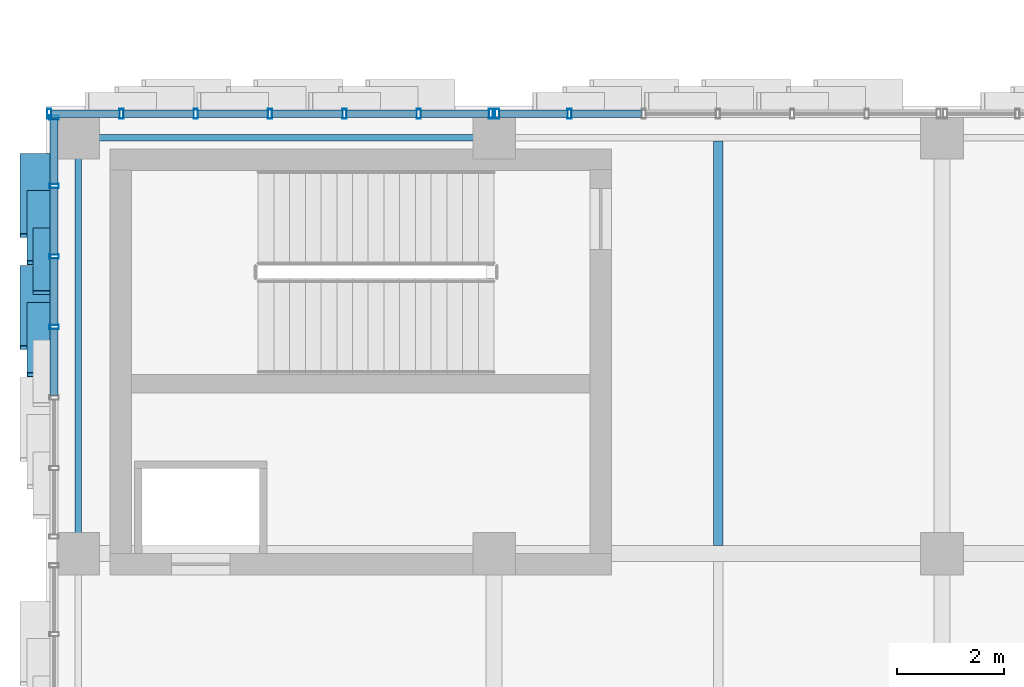
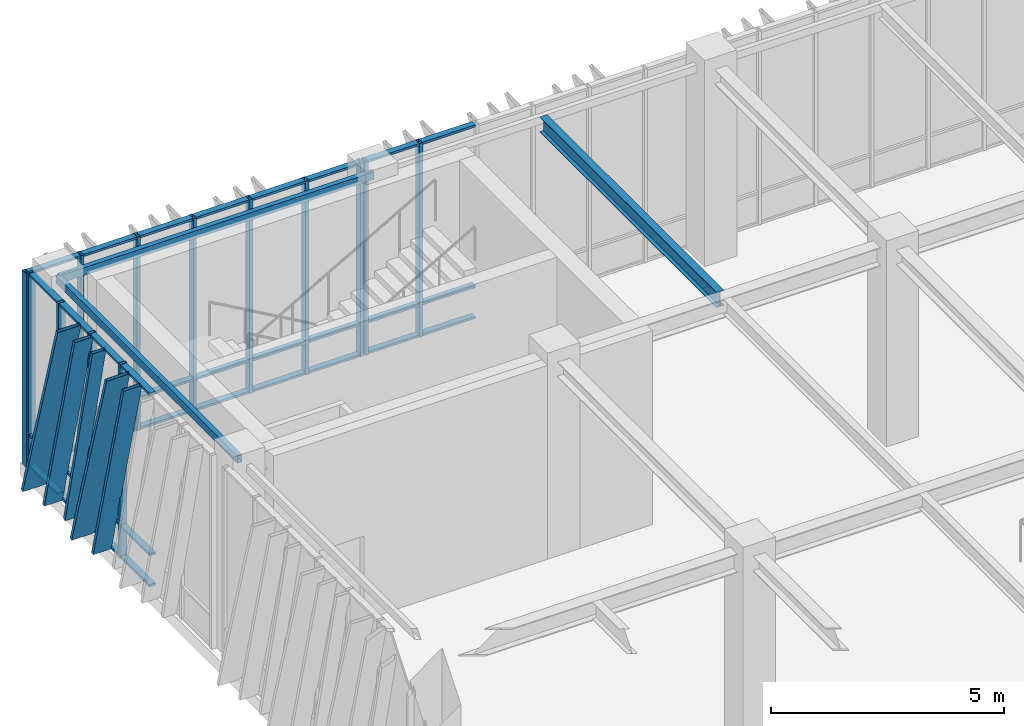
# One storey, part 46 of 139: 54 members, 3 beams, 3 elements without a shape of their own.
"""IFC4 building model written with IfcOpenShell, lengths in metres."""

from ifc_helpers import new_model, si_unit, direction, frame, origin, origin_2d, place, context, subcontext, project, spatial, hollow_rectangle, i_section, extrude, material, layer, layer_set, material_profile, profile_set, type_object, element, aggregate, save


model = new_model("IFC4")

# Units and contexts
model_context = context("Model", 3, precision=1e-05, world=origin(), true_north=direction((0.0, 1.0)))
body_context = subcontext(model_context, "Body", "Model", "MODEL_VIEW")
ifc_project = project(units=[si_unit("LENGTHUNIT", "METRE"), si_unit("AREAUNIT", "SQUARE_METRE"), si_unit("VOLUMEUNIT", "CUBIC_METRE"), si_unit("PLANEANGLEUNIT", "RADIAN"), si_unit("MASSUNIT", "GRAM", prefix="KILO")], contexts=[model_context])

# Site, building, storey
site_placement = place(None, origin())
site = spatial("IfcSite", under=ifc_project, at=site_placement, CompositionType="ELEMENT")
building_placement = place(site_placement, origin())
building = spatial("IfcBuilding", under=site, at=building_placement, Name="Zayran Congress Hotel", CompositionType="ELEMENT")
storey_placement = place(building_placement, frame((0.0, 0.0, 5.39990234375)))
storey = spatial("IfcBuildingStorey", under=building, at=storey_placement, Name="L01", CompositionType="ELEMENT", Elevation=5.39990234375)

# Beams
ifc_material_1 = material(Name="Steel S355", Category="steel")
ifc_material_profile_1 = material_profile(ifc_material_1, i_section(OverallWidth=0.179931640625, OverallDepth=0.39990234375, WebThickness=0.008544921875, FlangeThickness=0.013427734375, at=origin_2d()), Name="IPE 400")
ifc_profile_set_1 = profile_set([ifc_material_profile_1], Name="Steel S355")
beam_type_1 = type_object("IfcBeamType", Name="TP-JS-03", PredefinedType="JOIST", material=ifc_profile_set_1)
beam_1_placement = place(storey_placement, frame((21.0, 109.75, 4.880126953125), z_axis=(0.0, 1.0, 0.0), x_axis=(-1.0, 0.0, 0.0)))
element("IfcBeam", 1, at=beam_1_placement, inside=storey, type_object=beam_type_1, Name="JST-V1-L01-0625", PredefinedType="JOIST", context=body_context, shape_type="SweptSolid", body=[
    extrude(i_section(OverallWidth=0.179931640625, OverallDepth=0.39990234375, WebThickness=0.008544921875, FlangeThickness=0.013427734375, at=origin_2d()), origin(), (0.0, 0.0, 1.0), 7.590087890625),
])
ifc_material_profile_2 = material_profile(ifc_material_1, hollow_rectangle(XDim=0.1201171875, YDim=0.199951171875, WallThickness=0.008056640625, at=origin_2d()), Name="RHS 200x120x8")
ifc_profile_set_2 = profile_set([ifc_material_profile_2], Name="Steel S355")
beam_type_2 = type_object("IfcBeamType", Name="TP-SP-02", PredefinedType="SPANDREL", material=ifc_profile_set_2)
beam_2_placement = place(storey_placement, frame((9.0, 117.39990234375, 4.97998046875), z_axis=(1.0, 0.0, 0.0), x_axis=(0.0, 1.0, 0.0)))
element("IfcBeam", 2, at=beam_2_placement, inside=storey, type_object=beam_type_2, Name="BM-V1-L01-0561", PredefinedType="SPANDREL", context=body_context, shape_type="SweptSolid", body=[
    extrude(hollow_rectangle(XDim=0.1201171875, YDim=0.199951171875, WallThickness=0.008056640625, at=origin_2d()), origin(), (0.0, 0.0, 1.0), 7.800048828125),
])
beam_3_placement = place(storey_placement, frame((9.0, 109.60009765625, 4.97998046875), z_axis=(0.0, 1.0, 0.0), x_axis=(-1.0, 0.0, 0.0)))
element("IfcBeam", 3, at=beam_3_placement, inside=storey, type_object=beam_type_2, Name="BM-V1-L01-0576", PredefinedType="SPANDREL", context=body_context, shape_type="SweptSolid", body=[
    extrude(hollow_rectangle(XDim=0.1201171875, YDim=0.199951171875, WallThickness=0.008056640625, at=origin_2d()), origin(), (0.0, 0.0, 1.0), 7.7998046875),
])

# Curtain wall, members
ifc_material_2 = material(Name="Anodised aluminium and low-E insulated glass", Category="aluminium")
ifc_layer_1 = layer(ifc_material_2, 0.179931640625)
ifc_layer_set_1 = layer_set([ifc_layer_1], Name="Anodised aluminium and low-E insulated glass")
curtain_wall_type_1 = type_object("IfcCurtainWallType", Name="CW-V1N-L01-CW-21-8360-5080", PredefinedType="USERDEFINED", material=ifc_layer_set_1)
curtain_wall_1_placement = place(storey_placement, origin())
curtain_wall_1 = element("IfcCurtainWall", 4, at=curtain_wall_1_placement, inside=storey, type_object=curtain_wall_type_1, Name="CW-V1N-L01-0", ObjectType="CURTAIN WALL", PredefinedType="USERDEFINED")
ifc_material_3 = material(Name="Anodised aluminium framing", Category="aluminium")
ifc_material_profile_3 = material_profile(ifc_material_3, hollow_rectangle(XDim=0.080078125, YDim=0.179931640625, WallThickness=0.0048828125, at=origin_2d()), Name="RHS 180x80x5")
ifc_profile_set_3 = profile_set([ifc_material_profile_3], Name="Anodised aluminium framing")
member_type_1 = type_object("IfcMemberType", Name="TP-CWM-01", PredefinedType="MULLION", material=ifc_profile_set_3)
member_1_placement = place(storey_placement, frame((16.739990234375, 117.85009765625, 0.0), z_axis=(0.0, 0.0, 1.0), x_axis=(1.0, 0.0, 0.0)))
member_1 = element("IfcMember", 5, at=member_1_placement, type_object=member_type_1, Name="CW-V1N-L01-0-M00", PredefinedType="MULLION", context=body_context, shape_type="SweptSolid", body=[
    extrude(hollow_rectangle(XDim=0.080078125, YDim=0.179931640625, WallThickness=0.0048828125, at=origin_2d()), origin(), (0.0, 0.0, 1.0), 5.080078125),
])
member_2_placement = place(storey_placement, frame((15.38671875, 117.85009765625, 0.0), z_axis=(0.0, 0.0, 1.0), x_axis=(1.0, 0.0, 0.0)))
member_2 = element("IfcMember", 6, at=member_2_placement, type_object=member_type_1, Name="CW-V1N-L01-0-M01", PredefinedType="MULLION", context=body_context, shape_type="SweptSolid", body=[
    extrude(hollow_rectangle(XDim=0.080078125, YDim=0.179931640625, WallThickness=0.0048828125, at=origin_2d()), origin(), (0.0, 0.0, 1.0), 5.080078125),
])
member_3_placement = place(storey_placement, frame((13.993408203125, 117.85009765625, 0.0), z_axis=(0.0, 0.0, 1.0), x_axis=(1.0, 0.0, 0.0)))
member_3 = element("IfcMember", 7, at=member_3_placement, type_object=member_type_1, Name="CW-V1N-L01-0-M02", PredefinedType="MULLION", context=body_context, shape_type="SweptSolid", body=[
    extrude(hollow_rectangle(XDim=0.080078125, YDim=0.179931640625, WallThickness=0.0048828125, at=origin_2d()), origin(), (0.0, 0.0, 1.0), 5.080078125),
])
member_4_placement = place(storey_placement, frame((12.60009765625, 117.85009765625, 0.0), z_axis=(0.0, 0.0, 1.0), x_axis=(1.0, 0.0, 0.0)))
member_4 = element("IfcMember", 8, at=member_4_placement, type_object=member_type_1, Name="CW-V1N-L01-0-M03", PredefinedType="MULLION", context=body_context, shape_type="SweptSolid", body=[
    extrude(hollow_rectangle(XDim=0.080078125, YDim=0.179931640625, WallThickness=0.0048828125, at=origin_2d()), origin(), (0.0, 0.0, 1.0), 5.080078125),
])
member_5_placement = place(storey_placement, frame((11.206787109375, 117.85009765625, 0.0), z_axis=(0.0, 0.0, 1.0), x_axis=(1.0, 0.0, 0.0)))
member_5 = element("IfcMember", 9, at=member_5_placement, type_object=member_type_1, Name="CW-V1N-L01-0-M04", PredefinedType="MULLION", context=body_context, shape_type="SweptSolid", body=[
    extrude(hollow_rectangle(XDim=0.080078125, YDim=0.179931640625, WallThickness=0.0048828125, at=origin_2d()), origin(), (0.0, 0.0, 1.0), 5.080078125),
])
member_6_placement = place(storey_placement, frame((9.813232421875, 117.85009765625, 0.0), z_axis=(0.0, 0.0, 1.0), x_axis=(1.0, 0.0, 0.0)))
member_6 = element("IfcMember", 10, at=member_6_placement, type_object=member_type_1, Name="CW-V1N-L01-0-M05", PredefinedType="MULLION", context=body_context, shape_type="SweptSolid", body=[
    extrude(hollow_rectangle(XDim=0.080078125, YDim=0.179931640625, WallThickness=0.0048828125, at=origin_2d()), origin(), (0.0, 0.0, 1.0), 5.080078125),
])
member_7_placement = place(storey_placement, frame((8.4599609375, 117.85009765625, 0.0), z_axis=(0.0, 0.0, 1.0), x_axis=(1.0, 0.0, 0.0)))
member_7 = element("IfcMember", 11, at=member_7_placement, type_object=member_type_1, Name="CW-V1N-L01-0-M06", PredefinedType="MULLION", context=body_context, shape_type="SweptSolid", body=[
    extrude(hollow_rectangle(XDim=0.080078125, YDim=0.179931640625, WallThickness=0.0048828125, at=origin_2d()), origin(), (0.0, 0.0, 1.0), 5.080078125),
])

ifc_layer_2 = layer(ifc_material_2, 0.179931640625)
ifc_layer_set_2 = layer_set([ifc_layer_2], Name="Anodised aluminium and low-E insulated glass")
curtain_wall_type_2 = type_object("IfcCurtainWallType", Name="CW-V1N-L01-CW-22-8360-5080", PredefinedType="USERDEFINED", material=ifc_layer_set_2)
curtain_wall_2_placement = place(storey_placement, origin())
curtain_wall_2 = element("IfcCurtainWall", 12, at=curtain_wall_2_placement, inside=storey, type_object=curtain_wall_type_2, Name="CW-V1N-L01-1", ObjectType="CURTAIN WALL", PredefinedType="USERDEFINED")
member_8_placement = place(storey_placement, frame((18.21337890625, 117.85009765625, 0.0), z_axis=(0.0, 0.0, 1.0), x_axis=(1.0, 0.0, 0.0)))
member_8 = element("IfcMember", 13, at=member_8_placement, type_object=member_type_1, Name="CW-V1N-L01-1-M05", PredefinedType="MULLION", context=body_context, shape_type="SweptSolid", body=[
    extrude(hollow_rectangle(XDim=0.080078125, YDim=0.179931640625, WallThickness=0.0048828125, at=origin_2d()), origin(), (0.0, 0.0, 1.0), 5.080078125),
])
member_9_placement = place(storey_placement, frame((16.860107421875, 117.85009765625, 0.0), z_axis=(0.0, 0.0, 1.0), x_axis=(1.0, 0.0, 0.0)))
member_9 = element("IfcMember", 14, at=member_9_placement, type_object=member_type_1, Name="CW-V1N-L01-1-M06", PredefinedType="MULLION", context=body_context, shape_type="SweptSolid", body=[
    extrude(hollow_rectangle(XDim=0.080078125, YDim=0.179931640625, WallThickness=0.0048828125, at=origin_2d()), origin(), (0.0, 0.0, 1.0), 5.080078125),
])

ifc_layer_3 = layer(ifc_material_2, 0.179931640625)
ifc_layer_set_3 = layer_set([ifc_layer_3], Name="Anodised aluminium and low-E insulated glass")
curtain_wall_type_3 = type_object("IfcCurtainWallType", Name="CW-V1W-L01-CW-32-7940-5080", PredefinedType="USERDEFINED", material=ifc_layer_set_3)
curtain_wall_3_placement = place(storey_placement, origin())
curtain_wall_3 = element("IfcCurtainWall", 15, at=curtain_wall_3_placement, inside=storey, type_object=curtain_wall_type_3, Name="CW-V1W-L01-5", ObjectType="CURTAIN WALL", PredefinedType="USERDEFINED")
member_10_placement = place(storey_placement, frame((8.550048828125, 117.780029296875, 0.0), z_axis=(0.0, 0.0, 1.0), x_axis=(0.0, 1.0, 0.0)))
member_10 = element("IfcMember", 16, at=member_10_placement, type_object=member_type_1, Name="CW-V1W-L01-5-M00", PredefinedType="MULLION", context=body_context, shape_type="SweptSolid", body=[
    extrude(hollow_rectangle(XDim=0.080078125, YDim=0.179931640625, WallThickness=0.0048828125, at=origin_2d()), origin(), (0.0, 0.0, 1.0), 5.080078125),
])
member_11_placement = place(storey_placement, frame((8.550048828125, 116.49658203125, 0.0), z_axis=(0.0, 0.0, 1.0), x_axis=(0.0, 1.0, 0.0)))
member_11 = element("IfcMember", 17, at=member_11_placement, type_object=member_type_1, Name="CW-V1W-L01-5-M01", PredefinedType="MULLION", context=body_context, shape_type="SweptSolid", body=[
    extrude(hollow_rectangle(XDim=0.080078125, YDim=0.179931640625, WallThickness=0.0048828125, at=origin_2d()), origin(), (0.0, 0.0, 1.0), 5.080078125),
])
member_12_placement = place(storey_placement, frame((8.550048828125, 115.17333984375, 0.0), z_axis=(0.0, 0.0, 1.0), x_axis=(0.0, 1.0, 0.0)))
member_12 = element("IfcMember", 18, at=member_12_placement, type_object=member_type_1, Name="CW-V1W-L01-5-M02", PredefinedType="MULLION", context=body_context, shape_type="SweptSolid", body=[
    extrude(hollow_rectangle(XDim=0.080078125, YDim=0.179931640625, WallThickness=0.0048828125, at=origin_2d()), origin(), (0.0, 0.0, 1.0), 5.080078125),
])
member_13_placement = place(storey_placement, frame((8.550048828125, 113.85009765625, 0.0), z_axis=(0.0, 0.0, 1.0), x_axis=(0.0, 1.0, 0.0)))
member_13 = element("IfcMember", 19, at=member_13_placement, type_object=member_type_1, Name="CW-V1W-L01-5-M03", PredefinedType="MULLION", context=body_context, shape_type="SweptSolid", body=[
    extrude(hollow_rectangle(XDim=0.080078125, YDim=0.179931640625, WallThickness=0.0048828125, at=origin_2d()), origin(), (0.0, 0.0, 1.0), 5.080078125),
])

# Member
ifc_material_profile_4 = material_profile(ifc_material_3, hollow_rectangle(XDim=0.06005859375, YDim=0.14990234375, WallThickness=0.00390625, at=origin_2d()), Name="RHS 150x60x4")
ifc_profile_set_4 = profile_set([ifc_material_profile_4], Name="Anodised aluminium framing")
member_type_2 = type_object("IfcMemberType", Name="TP-CWT-01", PredefinedType="USERDEFINED", material=ifc_profile_set_4)
member_14_placement = place(storey_placement, frame((16.699951171875, 117.85009765625, 0.030029296875), z_axis=(-1.0, 0.0, 0.0), x_axis=(0.0, 0.0, 1.0)))
member_14 = element("IfcMember", 20, at=member_14_placement, type_object=member_type_2, Name="CW-V1N-L01-0-T00-0", ObjectType="TRANSOM", PredefinedType="USERDEFINED", context=body_context, shape_type="SweptSolid", body=[
    extrude(hollow_rectangle(XDim=0.06005859375, YDim=0.14990234375, WallThickness=0.00390625, at=origin_2d()), origin(), (0.0, 0.0, 1.0), 1.273193359375),
])

member_15_placement = place(storey_placement, frame((16.699951171875, 117.85009765625, 0.840087890625), z_axis=(-1.0, 0.0, 0.0), x_axis=(0.0, 0.0, 1.0)))
member_15 = element("IfcMember", 21, at=member_15_placement, type_object=member_type_2, Name="CW-V1N-L01-0-T00-1", ObjectType="TRANSOM", PredefinedType="USERDEFINED", context=body_context, shape_type="SweptSolid", body=[
    extrude(hollow_rectangle(XDim=0.06005859375, YDim=0.14990234375, WallThickness=0.00390625, at=origin_2d()), origin(), (0.0, 0.0, 1.0), 1.273193359375),
])

member_16_placement = place(storey_placement, frame((16.699951171875, 117.85009765625, 5.050048828125), z_axis=(-1.0, 0.0, 0.0), x_axis=(0.0, 0.0, 1.0)))
member_16 = element("IfcMember", 22, at=member_16_placement, type_object=member_type_2, Name="CW-V1N-L01-0-T00-2", ObjectType="TRANSOM", PredefinedType="USERDEFINED", context=body_context, shape_type="SweptSolid", body=[
    extrude(hollow_rectangle(XDim=0.06005859375, YDim=0.14990234375, WallThickness=0.00390625, at=origin_2d()), origin(), (0.0, 0.0, 1.0), 1.273193359375),
])

member_17_placement = place(storey_placement, frame((15.3466796875, 117.85009765625, 0.030029296875), z_axis=(-1.0, 0.0, 0.0), x_axis=(0.0, 0.0, 1.0)))
member_17 = element("IfcMember", 23, at=member_17_placement, type_object=member_type_2, Name="CW-V1N-L01-0-T01-0", ObjectType="TRANSOM", PredefinedType="USERDEFINED", context=body_context, shape_type="SweptSolid", body=[
    extrude(hollow_rectangle(XDim=0.06005859375, YDim=0.14990234375, WallThickness=0.00390625, at=origin_2d()), origin(), (0.0, 0.0, 1.0), 1.3134765625),
])

member_18_placement = place(storey_placement, frame((15.3466796875, 117.85009765625, 0.840087890625), z_axis=(-1.0, 0.0, 0.0), x_axis=(0.0, 0.0, 1.0)))
member_18 = element("IfcMember", 24, at=member_18_placement, type_object=member_type_2, Name="CW-V1N-L01-0-T01-1", ObjectType="TRANSOM", PredefinedType="USERDEFINED", context=body_context, shape_type="SweptSolid", body=[
    extrude(hollow_rectangle(XDim=0.06005859375, YDim=0.14990234375, WallThickness=0.00390625, at=origin_2d()), origin(), (0.0, 0.0, 1.0), 1.3134765625),
])

member_19_placement = place(storey_placement, frame((15.3466796875, 117.85009765625, 5.050048828125), z_axis=(-1.0, 0.0, 0.0), x_axis=(0.0, 0.0, 1.0)))
member_19 = element("IfcMember", 25, at=member_19_placement, type_object=member_type_2, Name="CW-V1N-L01-0-T01-2", ObjectType="TRANSOM", PredefinedType="USERDEFINED", context=body_context, shape_type="SweptSolid", body=[
    extrude(hollow_rectangle(XDim=0.06005859375, YDim=0.14990234375, WallThickness=0.00390625, at=origin_2d()), origin(), (0.0, 0.0, 1.0), 1.3134765625),
])

member_20_placement = place(storey_placement, frame((13.953369140625, 117.85009765625, 0.030029296875), z_axis=(-1.0, 0.0, 0.0), x_axis=(0.0, 0.0, 1.0)))
member_20 = element("IfcMember", 26, at=member_20_placement, type_object=member_type_2, Name="CW-V1N-L01-0-T02-0", ObjectType="TRANSOM", PredefinedType="USERDEFINED", context=body_context, shape_type="SweptSolid", body=[
    extrude(hollow_rectangle(XDim=0.06005859375, YDim=0.14990234375, WallThickness=0.00390625, at=origin_2d()), origin(), (0.0, 0.0, 1.0), 1.3134765625),
])

member_21_placement = place(storey_placement, frame((13.953369140625, 117.85009765625, 0.840087890625), z_axis=(-1.0, 0.0, 0.0), x_axis=(0.0, 0.0, 1.0)))
member_21 = element("IfcMember", 27, at=member_21_placement, type_object=member_type_2, Name="CW-V1N-L01-0-T02-1", ObjectType="TRANSOM", PredefinedType="USERDEFINED", context=body_context, shape_type="SweptSolid", body=[
    extrude(hollow_rectangle(XDim=0.06005859375, YDim=0.14990234375, WallThickness=0.00390625, at=origin_2d()), origin(), (0.0, 0.0, 1.0), 1.3134765625),
])

member_22_placement = place(storey_placement, frame((13.953369140625, 117.85009765625, 5.050048828125), z_axis=(-1.0, 0.0, 0.0), x_axis=(0.0, 0.0, 1.0)))
member_22 = element("IfcMember", 28, at=member_22_placement, type_object=member_type_2, Name="CW-V1N-L01-0-T02-2", ObjectType="TRANSOM", PredefinedType="USERDEFINED", context=body_context, shape_type="SweptSolid", body=[
    extrude(hollow_rectangle(XDim=0.06005859375, YDim=0.14990234375, WallThickness=0.00390625, at=origin_2d()), origin(), (0.0, 0.0, 1.0), 1.3134765625),
])

member_23_placement = place(storey_placement, frame((12.56005859375, 117.85009765625, 0.030029296875), z_axis=(-1.0, 0.0, 0.0), x_axis=(0.0, 0.0, 1.0)))
member_23 = element("IfcMember", 29, at=member_23_placement, type_object=member_type_2, Name="CW-V1N-L01-0-T03-0", ObjectType="TRANSOM", PredefinedType="USERDEFINED", context=body_context, shape_type="SweptSolid", body=[
    extrude(hollow_rectangle(XDim=0.06005859375, YDim=0.14990234375, WallThickness=0.00390625, at=origin_2d()), origin(), (0.0, 0.0, 1.0), 1.3134765625),
])

member_24_placement = place(storey_placement, frame((12.56005859375, 117.85009765625, 0.840087890625), z_axis=(-1.0, 0.0, 0.0), x_axis=(0.0, 0.0, 1.0)))
member_24 = element("IfcMember", 30, at=member_24_placement, type_object=member_type_2, Name="CW-V1N-L01-0-T03-1", ObjectType="TRANSOM", PredefinedType="USERDEFINED", context=body_context, shape_type="SweptSolid", body=[
    extrude(hollow_rectangle(XDim=0.06005859375, YDim=0.14990234375, WallThickness=0.00390625, at=origin_2d()), origin(), (0.0, 0.0, 1.0), 1.3134765625),
])

member_25_placement = place(storey_placement, frame((12.56005859375, 117.85009765625, 5.050048828125), z_axis=(-1.0, 0.0, 0.0), x_axis=(0.0, 0.0, 1.0)))
member_25 = element("IfcMember", 31, at=member_25_placement, type_object=member_type_2, Name="CW-V1N-L01-0-T03-2", ObjectType="TRANSOM", PredefinedType="USERDEFINED", context=body_context, shape_type="SweptSolid", body=[
    extrude(hollow_rectangle(XDim=0.06005859375, YDim=0.14990234375, WallThickness=0.00390625, at=origin_2d()), origin(), (0.0, 0.0, 1.0), 1.3134765625),
])

member_26_placement = place(storey_placement, frame((11.166748046875, 117.85009765625, 0.030029296875), z_axis=(-1.0, 0.0, 0.0), x_axis=(0.0, 0.0, 1.0)))
member_26 = element("IfcMember", 32, at=member_26_placement, type_object=member_type_2, Name="CW-V1N-L01-0-T04-0", ObjectType="TRANSOM", PredefinedType="USERDEFINED", context=body_context, shape_type="SweptSolid", body=[
    extrude(hollow_rectangle(XDim=0.06005859375, YDim=0.14990234375, WallThickness=0.00390625, at=origin_2d()), origin(), (0.0, 0.0, 1.0), 1.3134765625),
])

member_27_placement = place(storey_placement, frame((11.166748046875, 117.85009765625, 0.840087890625), z_axis=(-1.0, 0.0, 0.0), x_axis=(0.0, 0.0, 1.0)))
member_27 = element("IfcMember", 33, at=member_27_placement, type_object=member_type_2, Name="CW-V1N-L01-0-T04-1", ObjectType="TRANSOM", PredefinedType="USERDEFINED", context=body_context, shape_type="SweptSolid", body=[
    extrude(hollow_rectangle(XDim=0.06005859375, YDim=0.14990234375, WallThickness=0.00390625, at=origin_2d()), origin(), (0.0, 0.0, 1.0), 1.3134765625),
])

member_28_placement = place(storey_placement, frame((11.166748046875, 117.85009765625, 5.050048828125), z_axis=(-1.0, 0.0, 0.0), x_axis=(0.0, 0.0, 1.0)))
member_28 = element("IfcMember", 34, at=member_28_placement, type_object=member_type_2, Name="CW-V1N-L01-0-T04-2", ObjectType="TRANSOM", PredefinedType="USERDEFINED", context=body_context, shape_type="SweptSolid", body=[
    extrude(hollow_rectangle(XDim=0.06005859375, YDim=0.14990234375, WallThickness=0.00390625, at=origin_2d()), origin(), (0.0, 0.0, 1.0), 1.3134765625),
])

member_29_placement = place(storey_placement, frame((9.773193359375, 117.85009765625, 0.030029296875), z_axis=(-1.0, 0.0, 0.0), x_axis=(0.0, 0.0, 1.0)))
member_29 = element("IfcMember", 35, at=member_29_placement, type_object=member_type_2, Name="CW-V1N-L01-0-T05-0", ObjectType="TRANSOM", PredefinedType="USERDEFINED", context=body_context, shape_type="SweptSolid", body=[
    extrude(hollow_rectangle(XDim=0.06005859375, YDim=0.14990234375, WallThickness=0.00390625, at=origin_2d()), origin(), (0.0, 0.0, 1.0), 1.273193359375),
])

member_30_placement = place(storey_placement, frame((9.773193359375, 117.85009765625, 0.840087890625), z_axis=(-1.0, 0.0, 0.0), x_axis=(0.0, 0.0, 1.0)))
member_30 = element("IfcMember", 36, at=member_30_placement, type_object=member_type_2, Name="CW-V1N-L01-0-T05-1", ObjectType="TRANSOM", PredefinedType="USERDEFINED", context=body_context, shape_type="SweptSolid", body=[
    extrude(hollow_rectangle(XDim=0.06005859375, YDim=0.14990234375, WallThickness=0.00390625, at=origin_2d()), origin(), (0.0, 0.0, 1.0), 1.273193359375),
])

member_31_placement = place(storey_placement, frame((9.773193359375, 117.85009765625, 5.050048828125), z_axis=(-1.0, 0.0, 0.0), x_axis=(0.0, 0.0, 1.0)))
member_31 = element("IfcMember", 37, at=member_31_placement, type_object=member_type_2, Name="CW-V1N-L01-0-T05-2", ObjectType="TRANSOM", PredefinedType="USERDEFINED", context=body_context, shape_type="SweptSolid", body=[
    extrude(hollow_rectangle(XDim=0.06005859375, YDim=0.14990234375, WallThickness=0.00390625, at=origin_2d()), origin(), (0.0, 0.0, 1.0), 1.273193359375),
])

aggregate(curtain_wall_1, [member_1, member_2, member_3, member_4, member_5, member_6, member_7, member_14, member_15, member_16, member_17, member_18, member_19, member_20, member_21, member_22, member_23, member_24, member_25, member_26, member_27, member_28, member_29, member_30, member_31])

member_32_placement = place(storey_placement, frame((19.566650390625, 117.85009765625, 0.030029296875), z_axis=(-1.0, 0.0, 0.0), x_axis=(0.0, 0.0, 1.0)))
member_32 = element("IfcMember", 38, at=member_32_placement, type_object=member_type_2, Name="CW-V1N-L01-1-T04-0", ObjectType="TRANSOM", PredefinedType="USERDEFINED", context=body_context, shape_type="SweptSolid", body=[
    extrude(hollow_rectangle(XDim=0.06005859375, YDim=0.14990234375, WallThickness=0.00390625, at=origin_2d()), origin(), (0.0, 0.0, 1.0), 1.313232421875),
])

member_33_placement = place(storey_placement, frame((19.566650390625, 117.85009765625, 0.840087890625), z_axis=(-1.0, 0.0, 0.0), x_axis=(0.0, 0.0, 1.0)))
member_33 = element("IfcMember", 39, at=member_33_placement, type_object=member_type_2, Name="CW-V1N-L01-1-T04-1", ObjectType="TRANSOM", PredefinedType="USERDEFINED", context=body_context, shape_type="SweptSolid", body=[
    extrude(hollow_rectangle(XDim=0.06005859375, YDim=0.14990234375, WallThickness=0.00390625, at=origin_2d()), origin(), (0.0, 0.0, 1.0), 1.313232421875),
])

member_34_placement = place(storey_placement, frame((19.566650390625, 117.85009765625, 5.050048828125), z_axis=(-1.0, 0.0, 0.0), x_axis=(0.0, 0.0, 1.0)))
member_34 = element("IfcMember", 40, at=member_34_placement, type_object=member_type_2, Name="CW-V1N-L01-1-T04-2", ObjectType="TRANSOM", PredefinedType="USERDEFINED", context=body_context, shape_type="SweptSolid", body=[
    extrude(hollow_rectangle(XDim=0.06005859375, YDim=0.14990234375, WallThickness=0.00390625, at=origin_2d()), origin(), (0.0, 0.0, 1.0), 1.313232421875),
])

member_35_placement = place(storey_placement, frame((18.17333984375, 117.85009765625, 0.030029296875), z_axis=(-1.0, 0.0, 0.0), x_axis=(0.0, 0.0, 1.0)))
member_35 = element("IfcMember", 41, at=member_35_placement, type_object=member_type_2, Name="CW-V1N-L01-1-T05-0", ObjectType="TRANSOM", PredefinedType="USERDEFINED", context=body_context, shape_type="SweptSolid", body=[
    extrude(hollow_rectangle(XDim=0.06005859375, YDim=0.14990234375, WallThickness=0.00390625, at=origin_2d()), origin(), (0.0, 0.0, 1.0), 1.2734375),
])

member_36_placement = place(storey_placement, frame((18.17333984375, 117.85009765625, 0.840087890625), z_axis=(-1.0, 0.0, 0.0), x_axis=(0.0, 0.0, 1.0)))
member_36 = element("IfcMember", 42, at=member_36_placement, type_object=member_type_2, Name="CW-V1N-L01-1-T05-1", ObjectType="TRANSOM", PredefinedType="USERDEFINED", context=body_context, shape_type="SweptSolid", body=[
    extrude(hollow_rectangle(XDim=0.06005859375, YDim=0.14990234375, WallThickness=0.00390625, at=origin_2d()), origin(), (0.0, 0.0, 1.0), 1.2734375),
])

member_37_placement = place(storey_placement, frame((18.17333984375, 117.85009765625, 5.050048828125), z_axis=(-1.0, 0.0, 0.0), x_axis=(0.0, 0.0, 1.0)))
member_37 = element("IfcMember", 43, at=member_37_placement, type_object=member_type_2, Name="CW-V1N-L01-1-T05-2", ObjectType="TRANSOM", PredefinedType="USERDEFINED", context=body_context, shape_type="SweptSolid", body=[
    extrude(hollow_rectangle(XDim=0.06005859375, YDim=0.14990234375, WallThickness=0.00390625, at=origin_2d()), origin(), (0.0, 0.0, 1.0), 1.2734375),
])

aggregate(curtain_wall_2, [member_8, member_9, member_32, member_33, member_34, member_35, member_36, member_37])

member_38_placement = place(storey_placement, frame((8.550048828125, 117.739990234375, 0.030029296875), z_axis=(0.0, -1.0, 0.0), x_axis=(0.0, 0.0, 1.0)))
member_38 = element("IfcMember", 44, at=member_38_placement, type_object=member_type_2, Name="CW-V1W-L01-5-T00-0", ObjectType="TRANSOM", PredefinedType="USERDEFINED", context=body_context, shape_type="SweptSolid", body=[
    extrude(hollow_rectangle(XDim=0.06005859375, YDim=0.14990234375, WallThickness=0.00390625, at=origin_2d()), origin(), (0.0, 0.0, 1.0), 1.203369140625),
])

member_39_placement = place(storey_placement, frame((8.550048828125, 117.739990234375, 0.840087890625), z_axis=(0.0, -1.0, 0.0), x_axis=(0.0, 0.0, 1.0)))
member_39 = element("IfcMember", 45, at=member_39_placement, type_object=member_type_2, Name="CW-V1W-L01-5-T00-1", ObjectType="TRANSOM", PredefinedType="USERDEFINED", context=body_context, shape_type="SweptSolid", body=[
    extrude(hollow_rectangle(XDim=0.06005859375, YDim=0.14990234375, WallThickness=0.00390625, at=origin_2d()), origin(), (0.0, 0.0, 1.0), 1.203369140625),
])

member_40_placement = place(storey_placement, frame((8.550048828125, 117.739990234375, 5.050048828125), z_axis=(0.0, -1.0, 0.0), x_axis=(0.0, 0.0, 1.0)))
member_40 = element("IfcMember", 46, at=member_40_placement, type_object=member_type_2, Name="CW-V1W-L01-5-T00-2", ObjectType="TRANSOM", PredefinedType="USERDEFINED", context=body_context, shape_type="SweptSolid", body=[
    extrude(hollow_rectangle(XDim=0.06005859375, YDim=0.14990234375, WallThickness=0.00390625, at=origin_2d()), origin(), (0.0, 0.0, 1.0), 1.203369140625),
])

member_41_placement = place(storey_placement, frame((8.550048828125, 116.456787109375, 0.030029296875), z_axis=(0.0, -1.0, 0.0), x_axis=(0.0, 0.0, 1.0)))
member_41 = element("IfcMember", 47, at=member_41_placement, type_object=member_type_2, Name="CW-V1W-L01-5-T01-0", ObjectType="TRANSOM", PredefinedType="USERDEFINED", context=body_context, shape_type="SweptSolid", body=[
    extrude(hollow_rectangle(XDim=0.06005859375, YDim=0.14990234375, WallThickness=0.00390625, at=origin_2d()), origin(), (0.0, 0.0, 1.0), 1.243408203125),
])

member_42_placement = place(storey_placement, frame((8.550048828125, 116.456787109375, 0.840087890625), z_axis=(0.0, -1.0, 0.0), x_axis=(0.0, 0.0, 1.0)))
member_42 = element("IfcMember", 48, at=member_42_placement, type_object=member_type_2, Name="CW-V1W-L01-5-T01-1", ObjectType="TRANSOM", PredefinedType="USERDEFINED", context=body_context, shape_type="SweptSolid", body=[
    extrude(hollow_rectangle(XDim=0.06005859375, YDim=0.14990234375, WallThickness=0.00390625, at=origin_2d()), origin(), (0.0, 0.0, 1.0), 1.243408203125),
])

member_43_placement = place(storey_placement, frame((8.550048828125, 116.456787109375, 5.050048828125), z_axis=(0.0, -1.0, 0.0), x_axis=(0.0, 0.0, 1.0)))
member_43 = element("IfcMember", 49, at=member_43_placement, type_object=member_type_2, Name="CW-V1W-L01-5-T01-2", ObjectType="TRANSOM", PredefinedType="USERDEFINED", context=body_context, shape_type="SweptSolid", body=[
    extrude(hollow_rectangle(XDim=0.06005859375, YDim=0.14990234375, WallThickness=0.00390625, at=origin_2d()), origin(), (0.0, 0.0, 1.0), 1.243408203125),
])

member_44_placement = place(storey_placement, frame((8.550048828125, 115.13330078125, 0.030029296875), z_axis=(0.0, -1.0, 0.0), x_axis=(0.0, 0.0, 1.0)))
member_44 = element("IfcMember", 50, at=member_44_placement, type_object=member_type_2, Name="CW-V1W-L01-5-T02-0", ObjectType="TRANSOM", PredefinedType="USERDEFINED", context=body_context, shape_type="SweptSolid", body=[
    extrude(hollow_rectangle(XDim=0.06005859375, YDim=0.14990234375, WallThickness=0.00390625, at=origin_2d()), origin(), (0.0, 0.0, 1.0), 1.243408203125),
])

member_45_placement = place(storey_placement, frame((8.550048828125, 115.13330078125, 0.840087890625), z_axis=(0.0, -1.0, 0.0), x_axis=(0.0, 0.0, 1.0)))
member_45 = element("IfcMember", 51, at=member_45_placement, type_object=member_type_2, Name="CW-V1W-L01-5-T02-1", ObjectType="TRANSOM", PredefinedType="USERDEFINED", context=body_context, shape_type="SweptSolid", body=[
    extrude(hollow_rectangle(XDim=0.06005859375, YDim=0.14990234375, WallThickness=0.00390625, at=origin_2d()), origin(), (0.0, 0.0, 1.0), 1.243408203125),
])

member_46_placement = place(storey_placement, frame((8.550048828125, 115.13330078125, 5.050048828125), z_axis=(0.0, -1.0, 0.0), x_axis=(0.0, 0.0, 1.0)))
member_46 = element("IfcMember", 52, at=member_46_placement, type_object=member_type_2, Name="CW-V1W-L01-5-T02-2", ObjectType="TRANSOM", PredefinedType="USERDEFINED", context=body_context, shape_type="SweptSolid", body=[
    extrude(hollow_rectangle(XDim=0.06005859375, YDim=0.14990234375, WallThickness=0.00390625, at=origin_2d()), origin(), (0.0, 0.0, 1.0), 1.243408203125),
])

member_47_placement = place(storey_placement, frame((8.550048828125, 113.81005859375, 0.030029296875), z_axis=(0.0, -1.0, 0.0), x_axis=(0.0, 0.0, 1.0)))
member_47 = element("IfcMember", 53, at=member_47_placement, type_object=member_type_2, Name="CW-V1W-L01-5-T03-0", ObjectType="TRANSOM", PredefinedType="USERDEFINED", context=body_context, shape_type="SweptSolid", body=[
    extrude(hollow_rectangle(XDim=0.06005859375, YDim=0.14990234375, WallThickness=0.00390625, at=origin_2d()), origin(), (0.0, 0.0, 1.0), 1.243408203125),
])

member_48_placement = place(storey_placement, frame((8.550048828125, 113.81005859375, 0.840087890625), z_axis=(0.0, -1.0, 0.0), x_axis=(0.0, 0.0, 1.0)))
member_48 = element("IfcMember", 54, at=member_48_placement, type_object=member_type_2, Name="CW-V1W-L01-5-T03-1", ObjectType="TRANSOM", PredefinedType="USERDEFINED", context=body_context, shape_type="SweptSolid", body=[
    extrude(hollow_rectangle(XDim=0.06005859375, YDim=0.14990234375, WallThickness=0.00390625, at=origin_2d()), origin(), (0.0, 0.0, 1.0), 1.243408203125),
])

member_49_placement = place(storey_placement, frame((8.550048828125, 113.81005859375, 5.050048828125), z_axis=(0.0, -1.0, 0.0), x_axis=(0.0, 0.0, 1.0)))
member_49 = element("IfcMember", 55, at=member_49_placement, type_object=member_type_2, Name="CW-V1W-L01-5-T03-2", ObjectType="TRANSOM", PredefinedType="USERDEFINED", context=body_context, shape_type="SweptSolid", body=[
    extrude(hollow_rectangle(XDim=0.06005859375, YDim=0.14990234375, WallThickness=0.00390625, at=origin_2d()), origin(), (0.0, 0.0, 1.0), 1.243408203125),
])

ifc_material_4 = material(Name="Warm bronze anodised aluminium", Category="aluminium")
ifc_material_profile_5 = material_profile(ifc_material_4, hollow_rectangle(XDim=0.080078125, YDim=0.580078125, WallThickness=0.006103515625, at=origin_2d()), Name="RHS 580x80x6")
ifc_profile_set_5 = profile_set([ifc_material_profile_5], Name="Warm bronze anodised aluminium")
member_type_3 = type_object("IfcMemberType", Name="TP-RFN-01", PredefinedType="MULLION", material=ifc_profile_set_5)
member_50_placement = place(storey_placement, frame((8.199951171875, 117.070068359375, 0.0), z_axis=(0.0, -0.284031848834, 0.958814845968), x_axis=(0.0, 0.958814845968, 0.284031848834)))
member_50 = element("IfcMember", 56, at=member_50_placement, type_object=member_type_3, Name="Slanting Reed Mullion CW-32-01", PredefinedType="MULLION", context=body_context, shape_type="SweptSolid", body=[
    extrude(hollow_rectangle(XDim=0.080078125, YDim=0.580078125, WallThickness=0.006103515625, at=origin_2d()), origin(), (0.0, 0.0, 1.0), 5.29833984375),
])

member_51_placement = place(storey_placement, frame((8.199951171875, 114.969970703125, 0.0), z_axis=(0.0, -0.284031848834, 0.958814845968), x_axis=(0.0, 0.958814845968, 0.284031848834)))
member_51 = element("IfcMember", 57, at=member_51_placement, type_object=member_type_3, Name="Slanting Reed Mullion CW-32-04", PredefinedType="MULLION", context=body_context, shape_type="SweptSolid", body=[
    extrude(hollow_rectangle(XDim=0.080078125, YDim=0.580078125, WallThickness=0.006103515625, at=origin_2d()), origin(), (0.0, 0.0, 1.0), 5.29833984375),
])

ifc_material_profile_6 = material_profile(ifc_material_4, hollow_rectangle(XDim=0.080078125, YDim=0.449951171875, WallThickness=0.006103515625, at=origin_2d()), Name="RHS 450x80x6")
ifc_profile_set_6 = profile_set([ifc_material_profile_6], Name="Warm bronze anodised aluminium")
member_type_4 = type_object("IfcMemberType", Name="TP-RFN-02", PredefinedType="MULLION", material=ifc_profile_set_6)
member_52_placement = place(storey_placement, frame((8.264892578125, 116.3701171875, 0.0), z_axis=(0.0, -0.25040989041, 0.968139910749), x_axis=(0.0, 0.968139910749, 0.25040989041)))
member_52 = element("IfcMember", 58, at=member_52_placement, type_object=member_type_4, Name="Slanting Reed Mullion CW-32-02", PredefinedType="MULLION", context=body_context, shape_type="SweptSolid", body=[
    extrude(hollow_rectangle(XDim=0.080078125, YDim=0.449951171875, WallThickness=0.006103515625, at=origin_2d()), origin(), (0.0, 0.0, 1.0), 5.247314453125),
])

member_53_placement = place(storey_placement, frame((8.264892578125, 114.27001953125, 0.0), z_axis=(0.0, -0.250366279854, 0.968151189594), x_axis=(0.0, 0.968151189594, 0.250366279854)))
member_53 = element("IfcMember", 59, at=member_53_placement, type_object=member_type_4, Name="Slanting Reed Mullion CW-32-05", PredefinedType="MULLION", context=body_context, shape_type="SweptSolid", body=[
    extrude(hollow_rectangle(XDim=0.080078125, YDim=0.449951171875, WallThickness=0.006103515625, at=origin_2d()), origin(), (0.0, 0.0, 1.0), 5.247314453125),
])

ifc_material_profile_7 = material_profile(ifc_material_4, hollow_rectangle(XDim=0.080078125, YDim=0.340087890625, WallThickness=0.006103515625, at=origin_2d()), Name="RHS 340x80x6")
ifc_profile_set_7 = profile_set([ifc_material_profile_7], Name="Warm bronze anodised aluminium")
member_type_5 = type_object("IfcMemberType", Name="TP-RFN-03", PredefinedType="MULLION", material=ifc_profile_set_7)
member_54_placement = place(storey_placement, frame((8.320068359375, 115.669921875, 0.0), z_axis=(0.0, -0.224910805794, 0.97437935602), x_axis=(0.0, 0.97437935602, 0.224910805794)))
member_54 = element("IfcMember", 60, at=member_54_placement, type_object=member_type_5, Name="Slanting Reed Mullion CW-32-03", PredefinedType="MULLION", context=body_context, shape_type="SweptSolid", body=[
    extrude(hollow_rectangle(XDim=0.080078125, YDim=0.340087890625, WallThickness=0.006103515625, at=origin_2d()), origin(), (0.0, 0.0, 1.0), 5.213623046875),
])

aggregate(curtain_wall_3, [member_10, member_11, member_12, member_13, member_38, member_39, member_40, member_41, member_42, member_43, member_44, member_45, member_46, member_47, member_48, member_49, member_50, member_52, member_54, member_51, member_53])

save(model, "model.ifc")
